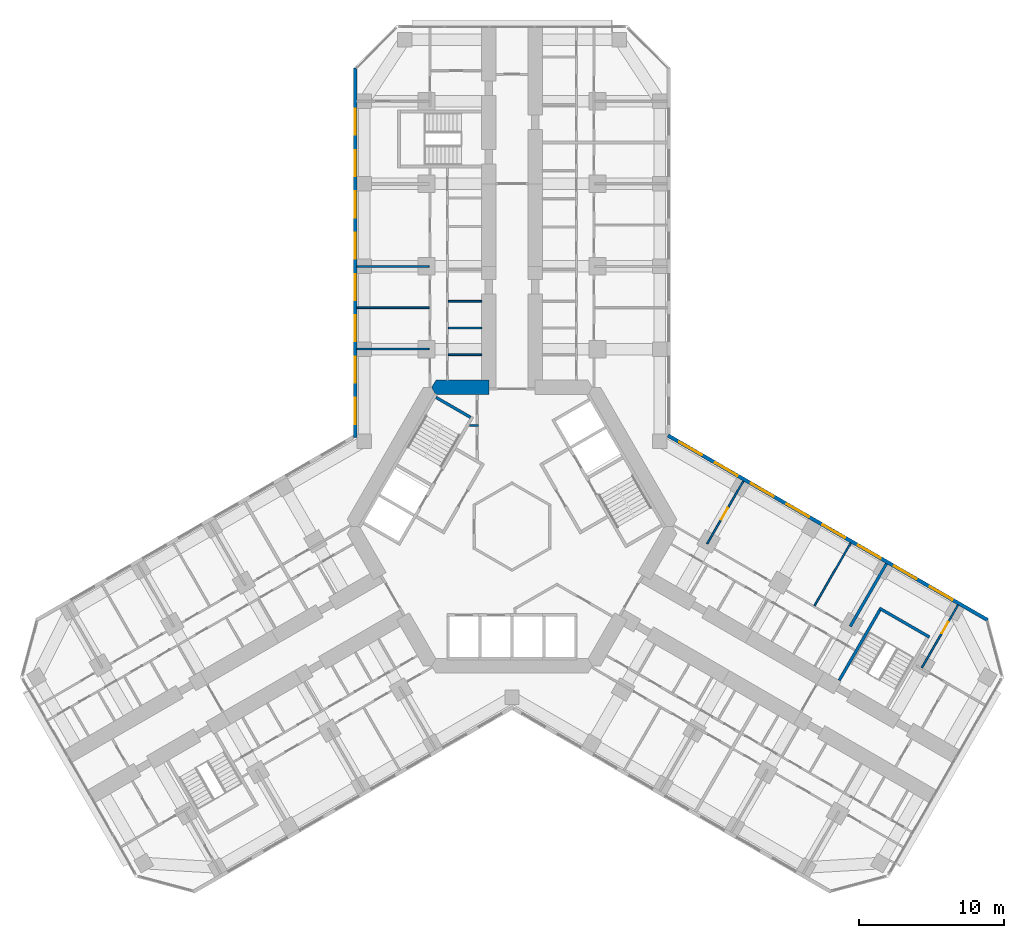
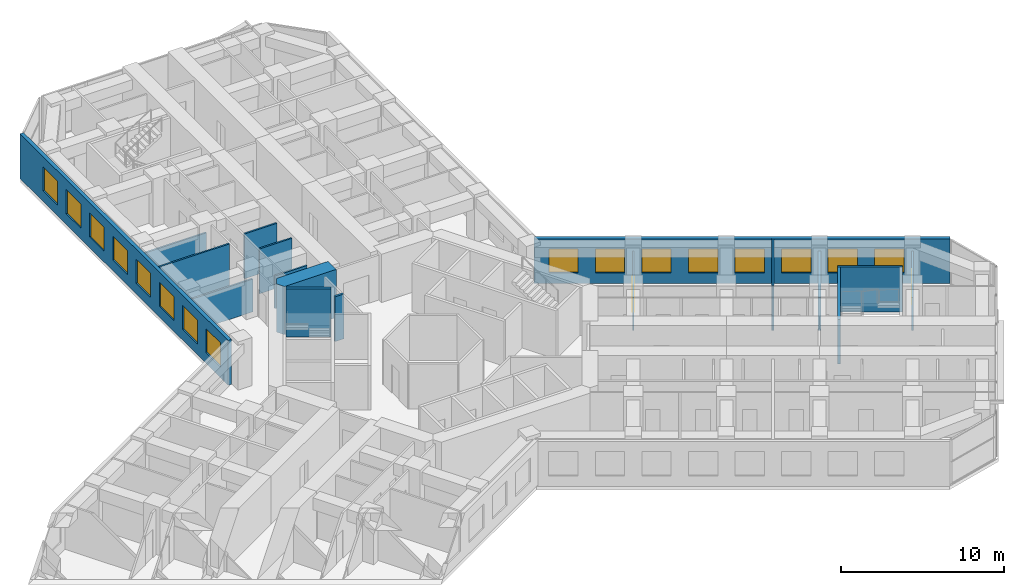
# One storey, part 16 of 21: 17 walls, 16 windows, 2 doors, 18 openings.
"""IFC4 building model written with IfcOpenShell, lengths in metres."""

import ifcopenshell
import ifcopenshell.guid

model = None  # the IFC model being written
_history = None  # IfcOwnerHistory: only IFC2X3 demands one
_inside = {}  # id of a spatial element -> (the spatial element, [elements in it])
_under = {}  # id of a project, library or spatial element -> (it, [spatial elements below it])
_declared = {}  # id of a project -> (the project, [libraries it declares])
_typed = {}  # id of a type object -> (the type object, [elements of that type])
_made_of = {}  # id of a material, layer set ... -> (it, [elements and type objects made of it])


def new_model(schema):
    """Start an empty IFC model of exactly this schema.

    Asked for "IFC4X3", IfcOpenShell would pick the latest addendum, in which some entities
    have other attributes; the version numbers below select the first issue.
    IFC2X3 requires an IfcOwnerHistory on every rooted entity: one is made here for all.
    """
    global model, _history
    if schema == "IFC4X3":
        model = ifcopenshell.file(schema_version=(4, 3, 0, 0))
    else:
        model = ifcopenshell.file(schema=schema)
    _inside.clear()
    _under.clear()
    _declared.clear()
    _typed.clear()
    _made_of.clear()
    _history = None
    if model.schema == "IFC2X3":
        org = make("IfcOrganization", Name="unknown")
        user = make(
            "IfcPersonAndOrganization",
            ThePerson=make("IfcPerson", FamilyName="unknown"),
            TheOrganization=org,
        )
        app = make(
            "IfcApplication",
            ApplicationDeveloper=org,
            Version="unknown",
            ApplicationFullName="unknown",
            ApplicationIdentifier="unknown",
        )
        _history = make(
            "IfcOwnerHistory",
            OwningUser=user,
            OwningApplication=app,
            ChangeAction="ADDED",
            CreationDate=0,
        )
    return model


def make(cls, **values):
    """One entity of the class cls with the attributes given. An attribute that is None is left unset."""
    return model.create_entity(
        cls, **{name: value for name, value in values.items() if value is not None}
    )


def rooted(cls, **values):
    """An entity with a GlobalId (a new one), such as an element, a storey or a relation."""
    return make(cls, GlobalId=ifcopenshell.guid.new(), OwnerHistory=_history, **values)


def si_unit(unit_type, name, prefix=None):
    """IfcSIUnit, for example si_unit("LENGTHUNIT", "METRE", prefix="MILLI")."""
    return make("IfcSIUnit", UnitType=unit_type, Prefix=prefix, Name=name)


def assignment(units):
    """IfcUnitAssignment: the units of a project."""
    return None if units is None else make("IfcUnitAssignment", Units=units)


def point(xyz):
    """IfcCartesianPoint."""
    return None if xyz is None else make("IfcCartesianPoint", Coordinates=xyz)


def direction(xyz):
    """IfcDirection."""
    return None if xyz is None else make("IfcDirection", DirectionRatios=xyz)


def frame(location, z_axis=None, x_axis=None):
    """IfcAxis2Placement3D, a coordinate frame: its origin and axes. An axis left out is left unset."""
    return make(
        "IfcAxis2Placement3D",
        Location=point(location),
        Axis=direction(z_axis),
        RefDirection=direction(x_axis),
    )


def frame_2d(location, x_axis=None):
    """IfcAxis2Placement2D, a coordinate frame in the plane: its origin and x axis."""
    return make(
        "IfcAxis2Placement2D", Location=point(location), RefDirection=direction(x_axis)
    )


def origin():
    """The frame at (0, 0, 0) with its axes left unset."""
    return frame((0.0, 0.0, 0.0))


def place(relative_to, where):
    """IfcLocalPlacement: puts the frame where relative to a parent placement (None: the world)."""
    return make(
        "IfcLocalPlacement", PlacementRelTo=relative_to, RelativePlacement=where
    )


def context(
    kind, dimensions, precision=None, world=None, true_north=None, identifier=None
):
    """IfcGeometricRepresentationContext, for example the 3D "Model" context."""
    return make(
        "IfcGeometricRepresentationContext",
        ContextIdentifier=identifier,
        ContextType=kind,
        CoordinateSpaceDimension=dimensions,
        Precision=precision,
        WorldCoordinateSystem=world,
        TrueNorth=true_north,
    )


def subcontext(parent, identifier, kind, view, scale=None):
    """IfcGeometricRepresentationSubContext, for example "Body" below "Model"."""
    return make(
        "IfcGeometricRepresentationSubContext",
        ContextIdentifier=identifier,
        ContextType=kind,
        ParentContext=parent,
        TargetScale=scale,
        TargetView=view,
    )


def project(units=None, contexts=None):
    """IfcProject with its units and contexts."""
    return rooted(
        "IfcProject",
        Name="project",
        RepresentationContexts=contexts,
        UnitsInContext=assignment(units),
    )


def spatial(cls, under=None, at=None, **own):
    """A site, building, storey or space (cls), placed at a placement, below another one or the project."""
    s = rooted(cls, ObjectPlacement=at, **own)
    if under is not None:
        _under.setdefault(under.id(), (under, []))[1].append(s)
    return s


def polyline(points):
    """IfcPolyline through the points."""
    return make("IfcPolyline", Points=[point(p) for p in points])


def profile(cls, at=None, kind="AREA", **sizes):
    """A parametric profile (cls). Its sizes go by their IFC names, for example OverallWidth=200.0."""
    return make(cls, ProfileType=kind, Position=at, **sizes)


def rectangle(**sizes):
    """IfcRectangleProfileDef."""
    return profile("IfcRectangleProfileDef", **sizes)


def outline(outer, holes=None, kind="AREA"):
    """IfcArbitraryClosedProfileDef: a profile drawn as a closed curve; with holes, ...WithVoids."""
    if holes is None:
        return make("IfcArbitraryClosedProfileDef", ProfileType=kind, OuterCurve=outer)
    return make(
        "IfcArbitraryProfileDefWithVoids",
        ProfileType=kind,
        OuterCurve=outer,
        InnerCurves=holes,
    )


def extrude(swept, where, along, depth):
    """IfcExtrudedAreaSolid: the profile swept, set in the frame where, extruded along a direction by depth."""
    return make(
        "IfcExtrudedAreaSolid",
        SweptArea=swept,
        Position=where,
        ExtrudedDirection=direction(along),
        Depth=depth,
    )


def shape(context_of_items, identifier, shape_type, items):
    """IfcShapeRepresentation: the items that make up one representation, for example the "Body"."""
    return make(
        "IfcShapeRepresentation",
        ContextOfItems=context_of_items,
        RepresentationIdentifier=identifier,
        RepresentationType=shape_type,
        Items=items,
    )


def material(Name=None, Category=None):
    """IfcMaterial."""
    return make("IfcMaterial", Name=Name, Category=Category)


def layer(
    of_material, thickness, ventilated=None, Name=None, Category=None, Priority=None
):
    """IfcMaterialLayer: one layer of a wall or slab, of a material (None: an air gap)."""
    return make(
        "IfcMaterialLayer",
        Material=of_material,
        LayerThickness=thickness,
        IsVentilated=ventilated,
        Name=Name,
        Category=Category,
        Priority=Priority,
    )


def layer_set(layers, Name=None):
    """IfcMaterialLayerSet."""
    return make("IfcMaterialLayerSet", MaterialLayers=layers, LayerSetName=Name)


def made_of(thing, what):
    """Note that an element or type object is made of a material, layer set ...; save() writes the relation."""
    if what is not None:
        _made_of.setdefault(what.id(), (what, []))[1].append(thing)
    return thing


def type_object(cls, material=None, **own):
    """A type object (cls), such as IfcWallType, which elements share."""
    return made_of(rooted(cls, **own), material)


def element(
    cls,
    number,
    at=None,
    inside=None,
    cuts=None,
    type_object=None,
    material=None,
    context=None,
    identifier="Body",
    shape_type=None,
    held_by="IfcProductDefinitionShape",
    body=None,
    shapes=None,
    **own,
):
    """One element of the class cls, such as IfcWall. Its Tag is "e" and its number.

    at: its placement. inside: the storey or other place that contains it. cuts: it is an
    opening in that element (IfcRelVoidsElement). A single representation is given by context,
    identifier, shape_type and body (its items); several are given by shapes. held_by: the class
    of the entity that holds the representations. save() writes the other relations.
    """
    e = rooted(cls, Tag="e%d" % number, ObjectPlacement=at, **own)
    if body is not None:
        shapes = [shape(context, identifier, shape_type, body)]
    if shapes is not None:
        e.Representation = make(held_by, Representations=shapes)
    if inside is not None:
        _inside.setdefault(inside.id(), (inside, []))[1].append(e)
    if cuts is not None:
        rooted(
            "IfcRelVoidsElement", RelatingBuildingElement=cuts, RelatedOpeningElement=e
        )
    if type_object is not None:
        _typed.setdefault(type_object.id(), (type_object, []))[1].append(e)
    return made_of(e, material)


def fill(opening, filler):
    """IfcRelFillsElement: the door or window that sits in an opening."""
    return rooted(
        "IfcRelFillsElement",
        RelatingOpeningElement=opening,
        RelatedBuildingElement=filler,
    )


def aggregate(whole, parts):
    """IfcRelAggregates: a whole, such as a stair, and the parts it consists of."""
    return rooted("IfcRelAggregates", RelatingObject=whole, RelatedObjects=parts)


def save(model, path):
    """Write the relations noted so far, then the file.

    IfcRelAggregates (storeys below a building ...), IfcRelContainedInSpatialStructure (elements
    in a storey), IfcRelDefinesByType, IfcRelAssociatesMaterial and IfcRelDeclares: one each for
    every whole, place, type object, material and project.
    """
    for whole, parts in _under.values():
        aggregate(whole, parts)
    for where, things in _inside.values():
        rooted(
            "IfcRelContainedInSpatialStructure",
            RelatedElements=things,
            RelatingStructure=where,
        )
    for kind, things in _typed.values():
        rooted("IfcRelDefinesByType", RelatedObjects=things, RelatingType=kind)
    for what, things in _made_of.values():
        rooted("IfcRelAssociatesMaterial", RelatedObjects=things, RelatingMaterial=what)
    for by, libraries in _declared.values():
        rooted("IfcRelDeclares", RelatingContext=by, RelatedDefinitions=libraries)
    model.write(path)


model = new_model("IFC4")

# Units and contexts
model_context = context("Model", 3, precision=1e-05, world=origin(), true_north=direction((0.0, 1.0)))
body_context = subcontext(model_context, "Body", "Model", "MODEL_VIEW")
ifc_project = project(units=[si_unit("LENGTHUNIT", "METRE"), si_unit("AREAUNIT", "SQUARE_METRE"), si_unit("VOLUMEUNIT", "CUBIC_METRE"), si_unit("PLANEANGLEUNIT", "RADIAN"), si_unit("MASSUNIT", "GRAM", prefix="KILO")], contexts=[model_context])

# Site, building, storey
site_placement = place(None, origin())
site = spatial("IfcSite", under=ifc_project, at=site_placement, CompositionType="ELEMENT")
building_placement = place(site_placement, origin())
building = spatial("IfcBuilding", under=site, at=building_placement, Name="Kosmar Iwan School Tower", CompositionType="ELEMENT")
storey_placement = place(building_placement, frame((0.0, 0.0, 50.199951171875)))
storey = spatial("IfcBuildingStorey", under=building, at=storey_placement, Name="L11", CompositionType="ELEMENT", Elevation=50.199951171875)

# Walls
ifc_material_1 = material(Name="Gypsum board on steel studs, fire-rated", Category="steel")
ifc_layer_1 = layer(ifc_material_1, 0.14990234375)
ifc_layer_set_1 = layer_set([ifc_layer_1], Name="Core room partition 150")
wall_type_1 = type_object("IfcWallType", Name="Core room partition 150", PredefinedType="PARTITIONING", material=ifc_layer_set_1)
wall_1_placement = place(storey_placement, frame((-2.324951171875, 6.985107421875, 0.0), z_axis=(0.0, 0.0, 1.0), x_axis=(-1.0, 0.0, 0.0)))
element("IfcWall", 1, at=wall_1_placement, inside=storey, type_object=wall_type_1, Name="Core room partition L11-CW2", PredefinedType="PARTITIONING", context=body_context, shape_type="SweptSolid", body=[
    extrude(rectangle(XDim=0.623779296875, YDim=0.14990234375, at=frame_2d((0.31201171875, 0.0))), origin(), (0.0, 0.0, 1.0), 3.35009765625),
])
ifc_material_2 = material(Name="Concrete C50/60", Category="concrete")
ifc_layer_2 = layer(ifc_material_2, 1.0)
ifc_layer_set_2 = layer_set([ifc_layer_2], Name="Core wall 1000")
wall_type_2 = type_object("IfcWallType", Name="Core wall 1000", PredefinedType="SHEAR", material=ifc_layer_set_2)
wall_2_placement = place(storey_placement, origin())
element("IfcWall", 2, at=wall_2_placement, inside=storey, type_object=wall_type_2, Name="Core wall F090b", PredefinedType="SHEAR", context=body_context, shape_type="SweptSolid", body=[
    extrude(outline(polyline([(-5.25390625, 9.10009765625), (-1.60009765625, 9.10009765625), (-1.60009765625, 10.10009765625), (-5.25390625, 10.10009765625), (-5.54248046875, 9.60009765625), (-5.25390625, 9.10009765625)])), origin(), (0.0, 0.0, 1.0), 3.60009765625),
])
ifc_material_3 = material(Name="Gypsum board on steel studs", Category="steel")
ifc_layer_3 = layer(ifc_material_3, 0.1201171875)
ifc_layer_set_3 = layer_set([ifc_layer_3], Name="Dwelling partition 120")
wall_type_3 = type_object("IfcWallType", Name="Dwelling partition 120", PredefinedType="PARTITIONING", material=ifc_layer_set_3)
wall_3_placement = place(storey_placement, frame((-5.7099609375, 12.25, 0.0), z_axis=(0.0, 0.0, 1.0), x_axis=(-1.0, 0.0, 0.0)))
element("IfcWall", 3, at=wall_3_placement, inside=storey, type_object=wall_type_3, Name="Partition L11-AL1-X1", PredefinedType="PARTITIONING", context=body_context, shape_type="SweptSolid", body=[
    extrude(rectangle(XDim=4.989990234375, YDim=0.1201171875, at=frame_2d((2.4951171875, 0.0))), origin(), (0.0, 0.0, 1.0), 2.449951171875),
])
wall_4_placement = place(storey_placement, frame((-5.7099609375, 15.10009765625, 0.0), z_axis=(0.0, 0.0, 1.0), x_axis=(-1.0, 0.0, 0.0)))
element("IfcWall", 4, at=wall_4_placement, inside=storey, type_object=wall_type_3, Name="Partition L11-AL1-X2", PredefinedType="PARTITIONING", context=body_context, shape_type="SweptSolid", body=[
    extrude(rectangle(XDim=4.989990234375, YDim=0.1201171875, at=frame_2d((2.4951171875, 0.0))), origin(), (0.0, 0.0, 1.0), 3.35009765625),
])
wall_5_placement = place(storey_placement, frame((-5.7099609375, 17.949951171875, 0.0), z_axis=(0.0, 0.0, 1.0), x_axis=(-1.0, 0.0, 0.0)))
element("IfcWall", 5, at=wall_5_placement, inside=storey, type_object=wall_type_3, Name="Partition L11-AL1-X3", PredefinedType="PARTITIONING", context=body_context, shape_type="SweptSolid", body=[
    extrude(rectangle(XDim=4.989990234375, YDim=0.1201171875, at=frame_2d((2.4951171875, 0.0))), origin(), (0.0, 0.0, 1.0), 2.449951171875),
])
wall_6_placement = place(storey_placement, frame((-2.10009765625, 11.85009765625, 0.0), z_axis=(0.0, 0.0, 1.0), x_axis=(-1.0, 0.0, 0.0)))
element("IfcWall", 6, at=wall_6_placement, inside=storey, type_object=wall_type_3, Name="Partition L11-AL1-Y1", PredefinedType="PARTITIONING", context=body_context, shape_type="SweptSolid", body=[
    extrude(rectangle(XDim=2.289794921875, YDim=0.1201171875, at=frame_2d((1.14501953125, 0.0))), origin(), (0.0, 0.0, 1.0), 2.449951171875),
])
for number, where, z_axis, x_axis, name in (
    (7, (-2.10009765625, 13.699951171875, 0.0), (0.0, 0.0, 1.0), (-1.0, 0.0, 0.0), "Partition L11-AL1-Y2"),
    (8, (-2.10009765625, 15.550048828125, 0.0), (0.0, 0.0, 1.0), (-1.0, 0.0, 0.0), "Partition L11-AL1-Y3"),
):
    element("IfcWall", number, at=place(storey_placement, frame(where, z_axis=z_axis, x_axis=x_axis)), inside=storey, type_object=wall_type_3, Name=name, PredefinedType="PARTITIONING", context=body_context, shape_type="SweptSolid", body=[
        extrude(rectangle(XDim=2.289794921875, YDim=0.1201171875, at=frame_2d((1.14501953125, 0.0))), origin(), (0.0, 0.0, 1.0), 3.35009765625),
    ])

# Wall, opening, door
wall_7_placement = place(storey_placement, frame((13.4638671875, -1.179931640625, 0.0), z_axis=(0.0, 0.0, 1.0), x_axis=(0.499996339024, 0.86602751744, 0.0)))
wall_7 = element("IfcWall", 9, at=wall_7_placement, inside=storey, type_object=wall_type_3, Name="Partition L11-CL1-X1", PredefinedType="PARTITIONING", context=body_context, shape_type="SweptSolid", body=[
    extrude(rectangle(XDim=4.98974609375, YDim=0.1201171875, at=frame_2d((2.494873046875, 0.0))), origin(), (0.0, 0.0, 1.0), 2.449951171875),
])
opening_1_placement = place(wall_7_placement, frame((1.93994140625, 0.0, 0.0)))
opening_1 = element("IfcOpeningElement", 10, at=opening_1_placement, cuts=wall_7, Name="Opening D2", PredefinedType="OPENING", context=body_context, shape_type="SweptSolid", body=[
    extrude(rectangle(XDim=0.89990234375, YDim=2.10009765625, at=frame_2d((0.449951171875, 1.050048828125))), frame((0.0, 0.072021484375, 0.0), z_axis=(0.0, -1.0, 0.0), x_axis=(1.0, 0.0, 0.0)), (0.0, 0.0, 1.0), 0.14404296875),
])
ifc_material_4 = material(Name="Timber door in timber frame", Category="wood")
door_type = type_object("IfcDoorType", Name="Internal door 900x2100", OperationType="SINGLE_SWING_LEFT", PredefinedType="DOOR", material=ifc_material_4)
door_1_placement = place(opening_1_placement, origin())
door_1 = element("IfcDoor", 11, at=door_1_placement, inside=storey, type_object=door_type, Name="Kitchen and dining room door L11-CL1-F1", OperationType="SINGLE_SWING_LEFT", OverallHeight=2.10009765625, OverallWidth=0.89990234375, PredefinedType="DOOR", context=body_context, shape_type="SweptSolid", body=[
    extrude(rectangle(XDim=0.89990234375, YDim=2.10009765625, at=frame_2d((0.449951171875, 1.050048828125))), frame((0.0, 0.02490234375, 0.0), z_axis=(0.0, -1.0, 0.0), x_axis=(1.0, 0.0, 0.0)), (0.0, 0.0, 1.0), 0.050048828125),
])
fill(opening_1, door_1)

# Wall
wall_8_placement = place(storey_placement, frame((20.868408203125, -5.455078125, 0.0), z_axis=(0.0, 0.0, 1.0), x_axis=(0.499975153383, 0.86603974851, 0.0)))
element("IfcWall", 12, at=wall_8_placement, inside=storey, type_object=wall_type_3, Name="Partition L11-CL1-X2", PredefinedType="PARTITIONING", context=body_context, shape_type="SweptSolid", body=[
    extrude(rectangle(XDim=4.989990234375, YDim=0.1201171875, at=frame_2d((2.4951171875, 0.0))), origin(), (0.0, 0.0, 1.0), 3.35009765625),
])

# Wall, opening, door
wall_9_placement = place(storey_placement, frame((28.27294921875, -9.72998046875, 0.0), z_axis=(0.0, 0.0, 1.0), x_axis=(0.499975153383, 0.86603974851, 0.0)))
wall_9 = element("IfcWall", 13, at=wall_9_placement, inside=storey, type_object=wall_type_3, Name="Partition L11-CL2-TX", PredefinedType="PARTITIONING", context=body_context, shape_type="SweptSolid", body=[
    extrude(rectangle(XDim=4.989990234375, YDim=0.1201171875, at=frame_2d((2.4951171875, 0.0))), origin(), (0.0, 0.0, 1.0), 2.449951171875),
])
opening_2_placement = place(wall_9_placement, frame((2.739990234375, 0.0, 0.0)))
opening_2 = element("IfcOpeningElement", 14, at=opening_2_placement, cuts=wall_9, Name="Opening D2", PredefinedType="OPENING", context=body_context, shape_type="SweptSolid", body=[
    extrude(rectangle(XDim=0.89990234375, YDim=2.10009765625, at=frame_2d((0.449951171875, 1.050048828125))), frame((0.0, 0.072021484375, 0.0), z_axis=(0.0, -1.0, 0.0), x_axis=(1.0, 0.0, 0.0)), (0.0, 0.0, 1.0), 0.14404296875),
])
door_2_placement = place(opening_2_placement, origin())
door_2 = element("IfcDoor", 15, at=door_2_placement, inside=storey, type_object=door_type, Name="Bedroom 1 door L11-CL2-T1", OperationType="SINGLE_SWING_RIGHT", OverallHeight=2.10009765625, OverallWidth=0.89990234375, PredefinedType="DOOR", context=body_context, shape_type="SweptSolid", body=[
    extrude(rectangle(XDim=0.89990234375, YDim=2.10009765625, at=frame_2d((0.449951171875, 1.050048828125))), frame((0.0, 0.02490234375, 0.0), z_axis=(0.0, -1.0, 0.0), x_axis=(1.0, 0.0, 0.0)), (0.0, 0.0, 1.0), 0.050048828125),
])
fill(opening_2, door_2)

# Walls
ifc_material_5 = material(Name="Concrete C35/45", Category="concrete")
ifc_layer_4 = layer(ifc_material_5, 0.199951171875)
ifc_layer_set_4 = layer_set([ifc_layer_4], Name="Escape stair wall 200")
wall_type_4 = type_object("IfcWallType", Name="Escape stair wall 200", PredefinedType="SHEAR", material=ifc_layer_set_4)
wall_10_placement = place(storey_placement, frame((22.57080078125, -10.6064453125, 0.0), z_axis=(0.0, 0.0, 1.0), x_axis=(0.499987231761, 0.866032775405, 0.0)))
element("IfcWall", 16, at=wall_10_placement, inside=storey, type_object=wall_type_4, Name="Stair WS3 wall", PredefinedType="SHEAR", context=body_context, shape_type="SweptSolid", body=[
    extrude(rectangle(XDim=5.800048828125, YDim=0.199951171875, at=frame_2d((2.89990234375, 0.0))), origin(), (0.0, 0.0, 1.0), 3.330078125),
])
wall_11_placement = place(storey_placement, frame((25.334228515625, -5.6201171875, 0.0), z_axis=(0.0, 0.0, 1.0), x_axis=(0.866026010844, -0.49999894854, 0.0)))
element("IfcWall", 17, at=wall_11_placement, inside=storey, type_object=wall_type_4, Name="Stair WS3 wall", PredefinedType="SHEAR", context=body_context, shape_type="SweptSolid", body=[
    extrude(rectangle(XDim=4.0, YDim=0.199951171875, at=frame_2d((2.0, 0.0))), origin(), (0.0, 0.0, 1.0), 3.330078125),
])

# Wall, openings, windows
ifc_material_6 = material(Name="Black aluminium rainscreen on insulated framing", Category="aluminium")
ifc_layer_5 = layer(ifc_material_6, 0.25)
ifc_layer_set_5 = layer_set([ifc_layer_5], Name="External wall rainscreen 250")
wall_type_5 = type_object("IfcWallType", Name="External wall rainscreen 250", PredefinedType="SOLIDWALL", material=ifc_layer_set_5)
wall_12_placement = place(storey_placement, frame((10.762451171875, 6.285888671875, 0.0), z_axis=(0.0, 0.0, 1.0), x_axis=(0.866027962024, -0.499995568972, 0.0)))
wall_12 = element("IfcWall", 18, at=wall_12_placement, inside=storey, type_object=wall_type_5, Name="External wall CL L11", PredefinedType="SOLIDWALL", context=body_context, shape_type="SweptSolid", body=[
    extrude(rectangle(XDim=25.457763671875, YDim=0.25, at=frame_2d((12.72900390625, 0.0))), origin(), (0.0, 0.0, 1.0), 3.35009765625),
])
opening_3_placement = place(wall_12_placement, frame((0.8974609375, 0.0, 0.800048828125)))
opening_3 = element("IfcOpeningElement", 19, at=opening_3_placement, cuts=wall_12, Name="Opening W1", PredefinedType="OPENING", context=body_context, shape_type="SweptSolid", body=[
    extrude(rectangle(XDim=1.800048828125, YDim=1.800048828125, at=frame_2d((0.89990234375, 0.89990234375))), frame((0.0, 0.136962890625, 0.0), z_axis=(0.0, -1.0, 0.0), x_axis=(1.0, 0.0, 0.0)), (0.0, 0.0, 1.0), 0.27392578125),
])
opening_4_placement = place(wall_12_placement, frame((3.747314453125, 0.0, 0.800048828125)))
opening_4 = element("IfcOpeningElement", 20, at=opening_4_placement, cuts=wall_12, Name="Opening W1", PredefinedType="OPENING", context=body_context, shape_type="SweptSolid", body=[
    extrude(rectangle(XDim=1.800048828125, YDim=1.800048828125, at=frame_2d((0.89990234375, 0.89990234375))), frame((0.0, 0.136962890625, 0.0), z_axis=(0.0, -1.0, 0.0), x_axis=(1.0, 0.0, 0.0)), (0.0, 0.0, 1.0), 0.27392578125),
])
opening_5_placement = place(wall_12_placement, frame((6.597412109375, 0.0, 0.800048828125)))
opening_5 = element("IfcOpeningElement", 21, at=opening_5_placement, cuts=wall_12, Name="Opening W1", PredefinedType="OPENING", context=body_context, shape_type="SweptSolid", body=[
    extrude(rectangle(XDim=1.800048828125, YDim=1.800048828125, at=frame_2d((0.89990234375, 0.89990234375))), frame((0.0, 0.136962890625, 0.0), z_axis=(0.0, -1.0, 0.0), x_axis=(1.0, 0.0, 0.0)), (0.0, 0.0, 1.0), 0.27392578125),
])
opening_6_placement = place(wall_12_placement, frame((9.447265625, 0.0, 0.800048828125)))
opening_6 = element("IfcOpeningElement", 22, at=opening_6_placement, cuts=wall_12, Name="Opening W1", PredefinedType="OPENING", context=body_context, shape_type="SweptSolid", body=[
    extrude(rectangle(XDim=1.800048828125, YDim=1.800048828125, at=frame_2d((0.89990234375, 0.89990234375))), frame((0.0, 0.136962890625, 0.0), z_axis=(0.0, -1.0, 0.0), x_axis=(1.0, 0.0, 0.0)), (0.0, 0.0, 1.0), 0.27392578125),
])
opening_7_placement = place(wall_12_placement, frame((12.29736328125, 0.0, 0.800048828125)))
opening_7 = element("IfcOpeningElement", 23, at=opening_7_placement, cuts=wall_12, Name="Opening W1", PredefinedType="OPENING", context=body_context, shape_type="SweptSolid", body=[
    extrude(rectangle(XDim=1.800048828125, YDim=1.800048828125, at=frame_2d((0.89990234375, 0.89990234375))), frame((0.0, 0.136962890625, 0.0), z_axis=(0.0, -1.0, 0.0), x_axis=(1.0, 0.0, 0.0)), (0.0, 0.0, 1.0), 0.27392578125),
])
opening_8_placement = place(wall_12_placement, frame((15.1474609375, 0.0, 0.800048828125)))
opening_8 = element("IfcOpeningElement", 24, at=opening_8_placement, cuts=wall_12, Name="Opening W1", PredefinedType="OPENING", context=body_context, shape_type="SweptSolid", body=[
    extrude(rectangle(XDim=1.800048828125, YDim=1.800048828125, at=frame_2d((0.89990234375, 0.89990234375))), frame((0.0, 0.136962890625, 0.0), z_axis=(0.0, -1.0, 0.0), x_axis=(1.0, 0.0, 0.0)), (0.0, 0.0, 1.0), 0.27392578125),
])
opening_9_placement = place(wall_12_placement, frame((17.997314453125, 0.0, 0.800048828125)))
opening_9 = element("IfcOpeningElement", 25, at=opening_9_placement, cuts=wall_12, Name="Opening W1", PredefinedType="OPENING", context=body_context, shape_type="SweptSolid", body=[
    extrude(rectangle(XDim=1.800048828125, YDim=1.800048828125, at=frame_2d((0.89990234375, 0.89990234375))), frame((0.0, 0.136962890625, 0.0), z_axis=(0.0, -1.0, 0.0), x_axis=(1.0, 0.0, 0.0)), (0.0, 0.0, 1.0), 0.27392578125),
])
opening_10_placement = place(wall_12_placement, frame((20.847412109375, 0.0, 0.800048828125)))
opening_10 = element("IfcOpeningElement", 26, at=opening_10_placement, cuts=wall_12, Name="Opening W1", PredefinedType="OPENING", context=body_context, shape_type="SweptSolid", body=[
    extrude(rectangle(XDim=1.800048828125, YDim=1.800048828125, at=frame_2d((0.89990234375, 0.89990234375))), frame((0.0, 0.136962890625, 0.0), z_axis=(0.0, -1.0, 0.0), x_axis=(1.0, 0.0, 0.0)), (0.0, 0.0, 1.0), 0.27392578125),
])
ifc_material_7 = material(Name="Black aluminium frame with dark triple glazing", Category="aluminium")
window_type = type_object("IfcWindowType", Name="Window 1800x1800", PartitioningType="SINGLE_PANEL", PredefinedType="WINDOW", material=ifc_material_7)
window_1_placement = place(opening_3_placement, origin())
window_1 = element("IfcWindow", 27, at=window_1_placement, inside=storey, type_object=window_type, Name="Window CL L11 -1", OverallHeight=1.800048828125, OverallWidth=1.800048828125, PartitioningType="SINGLE_PANEL", PredefinedType="WINDOW", context=body_context, shape_type="SweptSolid", body=[
    extrude(rectangle(XDim=1.800048828125, YDim=1.800048828125, at=frame_2d((0.89990234375, 0.89990234375))), frame((0.0, 0.030029296875, 0.0), z_axis=(0.0, -1.0, 0.0), x_axis=(1.0, 0.0, 0.0)), (0.0, 0.0, 1.0), 0.06005859375),
])
fill(opening_3, window_1)
window_2_placement = place(opening_4_placement, origin())
window_2 = element("IfcWindow", 28, at=window_2_placement, inside=storey, type_object=window_type, Name="Window CL L11 0", OverallHeight=1.800048828125, OverallWidth=1.800048828125, PartitioningType="SINGLE_PANEL", PredefinedType="WINDOW", context=body_context, shape_type="SweptSolid", body=[
    extrude(rectangle(XDim=1.800048828125, YDim=1.800048828125, at=frame_2d((0.89990234375, 0.89990234375))), frame((0.0, 0.030029296875, 0.0), z_axis=(0.0, -1.0, 0.0), x_axis=(1.0, 0.0, 0.0)), (0.0, 0.0, 1.0), 0.06005859375),
])
fill(opening_4, window_2)
window_3_placement = place(opening_5_placement, origin())
window_3 = element("IfcWindow", 29, at=window_3_placement, inside=storey, type_object=window_type, Name="Window CL L11 1", OverallHeight=1.800048828125, OverallWidth=1.800048828125, PartitioningType="SINGLE_PANEL", PredefinedType="WINDOW", context=body_context, shape_type="SweptSolid", body=[
    extrude(rectangle(XDim=1.800048828125, YDim=1.800048828125, at=frame_2d((0.89990234375, 0.89990234375))), frame((0.0, 0.030029296875, 0.0), z_axis=(0.0, -1.0, 0.0), x_axis=(1.0, 0.0, 0.0)), (0.0, 0.0, 1.0), 0.06005859375),
])
fill(opening_5, window_3)
window_4_placement = place(opening_6_placement, origin())
window_4 = element("IfcWindow", 30, at=window_4_placement, inside=storey, type_object=window_type, Name="Window CL L11 2", OverallHeight=1.800048828125, OverallWidth=1.800048828125, PartitioningType="SINGLE_PANEL", PredefinedType="WINDOW", context=body_context, shape_type="SweptSolid", body=[
    extrude(rectangle(XDim=1.800048828125, YDim=1.800048828125, at=frame_2d((0.89990234375, 0.89990234375))), frame((0.0, 0.030029296875, 0.0), z_axis=(0.0, -1.0, 0.0), x_axis=(1.0, 0.0, 0.0)), (0.0, 0.0, 1.0), 0.06005859375),
])
fill(opening_6, window_4)
window_5_placement = place(opening_7_placement, origin())
window_5 = element("IfcWindow", 31, at=window_5_placement, inside=storey, type_object=window_type, Name="Window CL L11 3", OverallHeight=1.800048828125, OverallWidth=1.800048828125, PartitioningType="SINGLE_PANEL", PredefinedType="WINDOW", context=body_context, shape_type="SweptSolid", body=[
    extrude(rectangle(XDim=1.800048828125, YDim=1.800048828125, at=frame_2d((0.89990234375, 0.89990234375))), frame((0.0, 0.030029296875, 0.0), z_axis=(0.0, -1.0, 0.0), x_axis=(1.0, 0.0, 0.0)), (0.0, 0.0, 1.0), 0.06005859375),
])
fill(opening_7, window_5)
window_6_placement = place(opening_8_placement, origin())
window_6 = element("IfcWindow", 32, at=window_6_placement, inside=storey, type_object=window_type, Name="Window CL L11 4", OverallHeight=1.800048828125, OverallWidth=1.800048828125, PartitioningType="SINGLE_PANEL", PredefinedType="WINDOW", context=body_context, shape_type="SweptSolid", body=[
    extrude(rectangle(XDim=1.800048828125, YDim=1.800048828125, at=frame_2d((0.89990234375, 0.89990234375))), frame((0.0, 0.030029296875, 0.0), z_axis=(0.0, -1.0, 0.0), x_axis=(1.0, 0.0, 0.0)), (0.0, 0.0, 1.0), 0.06005859375),
])
fill(opening_8, window_6)
window_7_placement = place(opening_9_placement, origin())
window_7 = element("IfcWindow", 33, at=window_7_placement, inside=storey, type_object=window_type, Name="Window CL L11 5", OverallHeight=1.800048828125, OverallWidth=1.800048828125, PartitioningType="SINGLE_PANEL", PredefinedType="WINDOW", context=body_context, shape_type="SweptSolid", body=[
    extrude(rectangle(XDim=1.800048828125, YDim=1.800048828125, at=frame_2d((0.89990234375, 0.89990234375))), frame((0.0, 0.030029296875, 0.0), z_axis=(0.0, -1.0, 0.0), x_axis=(1.0, 0.0, 0.0)), (0.0, 0.0, 1.0), 0.06005859375),
])
fill(opening_9, window_7)
window_8_placement = place(opening_10_placement, origin())
window_8 = element("IfcWindow", 34, at=window_8_placement, inside=storey, type_object=window_type, Name="Window CL L11 6", OverallHeight=1.800048828125, OverallWidth=1.800048828125, PartitioningType="SINGLE_PANEL", PredefinedType="WINDOW", context=body_context, shape_type="SweptSolid", body=[
    extrude(rectangle(XDim=1.800048828125, YDim=1.800048828125, at=frame_2d((0.89990234375, 0.89990234375))), frame((0.0, 0.030029296875, 0.0), z_axis=(0.0, -1.0, 0.0), x_axis=(1.0, 0.0, 0.0)), (0.0, 0.0, 1.0), 0.06005859375),
])
fill(opening_10, window_8)

wall_13_placement = place(storey_placement, frame((-10.824951171875, 6.14794921875, 0.0), z_axis=(0.0, 0.0, 1.0), x_axis=(0.0, 1.0, 0.0)))
wall_13 = element("IfcWall", 35, at=wall_13_placement, inside=storey, type_object=wall_type_5, Name="External wall AL L11", PredefinedType="SOLIDWALL", context=body_context, shape_type="SweptSolid", body=[
    extrude(rectangle(XDim=25.4873046875, YDim=0.25, at=frame_2d((12.74365234375, 0.0))), origin(), (0.0, 0.0, 1.0), 3.35009765625),
])
opening_11_placement = place(wall_13_placement, frame((0.927001953125, 0.0, 0.800048828125)))
opening_11 = element("IfcOpeningElement", 36, at=opening_11_placement, cuts=wall_13, Name="Opening W1", PredefinedType="OPENING", context=body_context, shape_type="SweptSolid", body=[
    extrude(rectangle(XDim=1.800048828125, YDim=1.800048828125, at=frame_2d((0.89990234375, 0.89990234375))), frame((0.0, 0.136962890625, 0.0), z_axis=(0.0, -1.0, 0.0), x_axis=(1.0, 0.0, 0.0)), (0.0, 0.0, 1.0), 0.27392578125),
])
opening_12_placement = place(wall_13_placement, frame((3.777099609375, 0.0, 0.800048828125)))
opening_12 = element("IfcOpeningElement", 37, at=opening_12_placement, cuts=wall_13, Name="Opening W1", PredefinedType="OPENING", context=body_context, shape_type="SweptSolid", body=[
    extrude(rectangle(XDim=1.800048828125, YDim=1.800048828125, at=frame_2d((0.89990234375, 0.89990234375))), frame((0.0, 0.136962890625, 0.0), z_axis=(0.0, -1.0, 0.0), x_axis=(1.0, 0.0, 0.0)), (0.0, 0.0, 1.0), 0.27392578125),
])
opening_13_placement = place(wall_13_placement, frame((6.626953125, 0.0, 0.800048828125)))
opening_13 = element("IfcOpeningElement", 38, at=opening_13_placement, cuts=wall_13, Name="Opening W1", PredefinedType="OPENING", context=body_context, shape_type="SweptSolid", body=[
    extrude(rectangle(XDim=1.800048828125, YDim=1.800048828125, at=frame_2d((0.89990234375, 0.89990234375))), frame((0.0, 0.136962890625, 0.0), z_axis=(0.0, -1.0, 0.0), x_axis=(1.0, 0.0, 0.0)), (0.0, 0.0, 1.0), 0.27392578125),
])
opening_14_placement = place(wall_13_placement, frame((9.47705078125, 0.0, 0.800048828125)))
opening_14 = element("IfcOpeningElement", 39, at=opening_14_placement, cuts=wall_13, Name="Opening W1", PredefinedType="OPENING", context=body_context, shape_type="SweptSolid", body=[
    extrude(rectangle(XDim=1.800048828125, YDim=1.800048828125, at=frame_2d((0.89990234375, 0.89990234375))), frame((0.0, 0.136962890625, 0.0), z_axis=(0.0, -1.0, 0.0), x_axis=(1.0, 0.0, 0.0)), (0.0, 0.0, 1.0), 0.27392578125),
])
opening_15_placement = place(wall_13_placement, frame((12.326904296875, 0.0, 0.800048828125)))
opening_15 = element("IfcOpeningElement", 40, at=opening_15_placement, cuts=wall_13, Name="Opening W1", PredefinedType="OPENING", context=body_context, shape_type="SweptSolid", body=[
    extrude(rectangle(XDim=1.800048828125, YDim=1.800048828125, at=frame_2d((0.89990234375, 0.89990234375))), frame((0.0, 0.136962890625, 0.0), z_axis=(0.0, -1.0, 0.0), x_axis=(1.0, 0.0, 0.0)), (0.0, 0.0, 1.0), 0.27392578125),
])
opening_16_placement = place(wall_13_placement, frame((15.177001953125, 0.0, 0.800048828125)))
opening_16 = element("IfcOpeningElement", 41, at=opening_16_placement, cuts=wall_13, Name="Opening W1", PredefinedType="OPENING", context=body_context, shape_type="SweptSolid", body=[
    extrude(rectangle(XDim=1.800048828125, YDim=1.800048828125, at=frame_2d((0.89990234375, 0.89990234375))), frame((0.0, 0.136962890625, 0.0), z_axis=(0.0, -1.0, 0.0), x_axis=(1.0, 0.0, 0.0)), (0.0, 0.0, 1.0), 0.27392578125),
])
opening_17_placement = place(wall_13_placement, frame((18.027099609375, 0.0, 0.800048828125)))
opening_17 = element("IfcOpeningElement", 42, at=opening_17_placement, cuts=wall_13, Name="Opening W1", PredefinedType="OPENING", context=body_context, shape_type="SweptSolid", body=[
    extrude(rectangle(XDim=1.800048828125, YDim=1.800048828125, at=frame_2d((0.89990234375, 0.89990234375))), frame((0.0, 0.136962890625, 0.0), z_axis=(0.0, -1.0, 0.0), x_axis=(1.0, 0.0, 0.0)), (0.0, 0.0, 1.0), 0.27392578125),
])
opening_18_placement = place(wall_13_placement, frame((20.876953125, 0.0, 0.800048828125)))
opening_18 = element("IfcOpeningElement", 43, at=opening_18_placement, cuts=wall_13, Name="Opening W1", PredefinedType="OPENING", context=body_context, shape_type="SweptSolid", body=[
    extrude(rectangle(XDim=1.800048828125, YDim=1.800048828125, at=frame_2d((0.89990234375, 0.89990234375))), frame((0.0, 0.136962890625, 0.0), z_axis=(0.0, -1.0, 0.0), x_axis=(1.0, 0.0, 0.0)), (0.0, 0.0, 1.0), 0.27392578125),
])
window_9_placement = place(opening_11_placement, origin())
window_9 = element("IfcWindow", 44, at=window_9_placement, inside=storey, type_object=window_type, Name="Window AL L11 -1", OverallHeight=1.800048828125, OverallWidth=1.800048828125, PartitioningType="SINGLE_PANEL", PredefinedType="WINDOW", context=body_context, shape_type="SweptSolid", body=[
    extrude(rectangle(XDim=1.800048828125, YDim=1.800048828125, at=frame_2d((0.89990234375, 0.89990234375))), frame((0.0, 0.030029296875, 0.0), z_axis=(0.0, -1.0, 0.0), x_axis=(1.0, 0.0, 0.0)), (0.0, 0.0, 1.0), 0.06005859375),
])
fill(opening_11, window_9)
window_10_placement = place(opening_12_placement, origin())
window_10 = element("IfcWindow", 45, at=window_10_placement, inside=storey, type_object=window_type, Name="Window AL L11 0", OverallHeight=1.800048828125, OverallWidth=1.800048828125, PartitioningType="SINGLE_PANEL", PredefinedType="WINDOW", context=body_context, shape_type="SweptSolid", body=[
    extrude(rectangle(XDim=1.800048828125, YDim=1.800048828125, at=frame_2d((0.89990234375, 0.89990234375))), frame((0.0, 0.030029296875, 0.0), z_axis=(0.0, -1.0, 0.0), x_axis=(1.0, 0.0, 0.0)), (0.0, 0.0, 1.0), 0.06005859375),
])
fill(opening_12, window_10)
window_11_placement = place(opening_13_placement, origin())
window_11 = element("IfcWindow", 46, at=window_11_placement, inside=storey, type_object=window_type, Name="Window AL L11 1", OverallHeight=1.800048828125, OverallWidth=1.800048828125, PartitioningType="SINGLE_PANEL", PredefinedType="WINDOW", context=body_context, shape_type="SweptSolid", body=[
    extrude(rectangle(XDim=1.800048828125, YDim=1.800048828125, at=frame_2d((0.89990234375, 0.89990234375))), frame((0.0, 0.030029296875, 0.0), z_axis=(0.0, -1.0, 0.0), x_axis=(1.0, 0.0, 0.0)), (0.0, 0.0, 1.0), 0.06005859375),
])
fill(opening_13, window_11)
window_12_placement = place(opening_14_placement, origin())
window_12 = element("IfcWindow", 47, at=window_12_placement, inside=storey, type_object=window_type, Name="Window AL L11 2", OverallHeight=1.800048828125, OverallWidth=1.800048828125, PartitioningType="SINGLE_PANEL", PredefinedType="WINDOW", context=body_context, shape_type="SweptSolid", body=[
    extrude(rectangle(XDim=1.800048828125, YDim=1.800048828125, at=frame_2d((0.89990234375, 0.89990234375))), frame((0.0, 0.030029296875, 0.0), z_axis=(0.0, -1.0, 0.0), x_axis=(1.0, 0.0, 0.0)), (0.0, 0.0, 1.0), 0.06005859375),
])
fill(opening_14, window_12)
window_13_placement = place(opening_15_placement, origin())
window_13 = element("IfcWindow", 48, at=window_13_placement, inside=storey, type_object=window_type, Name="Window AL L11 3", OverallHeight=1.800048828125, OverallWidth=1.800048828125, PartitioningType="SINGLE_PANEL", PredefinedType="WINDOW", context=body_context, shape_type="SweptSolid", body=[
    extrude(rectangle(XDim=1.800048828125, YDim=1.800048828125, at=frame_2d((0.89990234375, 0.89990234375))), frame((0.0, 0.030029296875, 0.0), z_axis=(0.0, -1.0, 0.0), x_axis=(1.0, 0.0, 0.0)), (0.0, 0.0, 1.0), 0.06005859375),
])
fill(opening_15, window_13)
window_14_placement = place(opening_16_placement, origin())
window_14 = element("IfcWindow", 49, at=window_14_placement, inside=storey, type_object=window_type, Name="Window AL L11 4", OverallHeight=1.800048828125, OverallWidth=1.800048828125, PartitioningType="SINGLE_PANEL", PredefinedType="WINDOW", context=body_context, shape_type="SweptSolid", body=[
    extrude(rectangle(XDim=1.800048828125, YDim=1.800048828125, at=frame_2d((0.89990234375, 0.89990234375))), frame((0.0, 0.030029296875, 0.0), z_axis=(0.0, -1.0, 0.0), x_axis=(1.0, 0.0, 0.0)), (0.0, 0.0, 1.0), 0.06005859375),
])
fill(opening_16, window_14)
window_15_placement = place(opening_17_placement, origin())
window_15 = element("IfcWindow", 50, at=window_15_placement, inside=storey, type_object=window_type, Name="Window AL L11 5", OverallHeight=1.800048828125, OverallWidth=1.800048828125, PartitioningType="SINGLE_PANEL", PredefinedType="WINDOW", context=body_context, shape_type="SweptSolid", body=[
    extrude(rectangle(XDim=1.800048828125, YDim=1.800048828125, at=frame_2d((0.89990234375, 0.89990234375))), frame((0.0, 0.030029296875, 0.0), z_axis=(0.0, -1.0, 0.0), x_axis=(1.0, 0.0, 0.0)), (0.0, 0.0, 1.0), 0.06005859375),
])
fill(opening_17, window_15)
window_16_placement = place(opening_18_placement, origin())
window_16 = element("IfcWindow", 51, at=window_16_placement, inside=storey, type_object=window_type, Name="Window AL L11 6", OverallHeight=1.800048828125, OverallWidth=1.800048828125, PartitioningType="SINGLE_PANEL", PredefinedType="WINDOW", context=body_context, shape_type="SweptSolid", body=[
    extrude(rectangle(XDim=1.800048828125, YDim=1.800048828125, at=frame_2d((0.89990234375, 0.89990234375))), frame((0.0, 0.030029296875, 0.0), z_axis=(0.0, -1.0, 0.0), x_axis=(1.0, 0.0, 0.0)), (0.0, 0.0, 1.0), 0.06005859375),
])
fill(opening_18, window_16)

# Walls
ifc_material_8 = material(Name="Concrete block masonry", Category="masonry")
ifc_layer_6 = layer(ifc_material_8, 0.199951171875)
ifc_layer_set_6 = layer_set([ifc_layer_6], Name="Party wall 200")
wall_type_6 = type_object("IfcWallType", Name="Party wall 200", PredefinedType="PARTITIONING", material=ifc_layer_set_6)
wall_14_placement = place(storey_placement, frame((23.33642578125, -6.8798828125, 0.0), z_axis=(0.0, 0.0, 1.0), x_axis=(0.500033033937, 0.866006330792, 0.0)))
element("IfcWall", 52, at=wall_14_placement, inside=storey, type_object=wall_type_6, Name="Partition L11-CL2-TB", PredefinedType="PARTITIONING", context=body_context, shape_type="SweptSolid", body=[
    extrude(rectangle(XDim=4.989990234375, YDim=0.199951171875, at=frame_2d((2.4951171875, 0.0))), origin(), (0.0, 0.0, 1.0), 2.449951171875),
])
ifc_material_9 = material(Name="Concrete C50/60", Category="concrete")
ifc_layer_7 = layer(ifc_material_9, 0.199951171875)
ifc_layer_set_7 = layer_set([ifc_layer_7], Name="Stair enclosure wall 200")
wall_type_7 = type_object("IfcWallType", Name="Stair enclosure wall 200", PredefinedType="SHEAR", material=ifc_layer_set_7)
wall_15_placement = place(storey_placement, frame((-2.862548828125, 7.541748046875, 0.0), z_axis=(0.0, 0.0, 1.0), x_axis=(-0.866027397988, 0.499996545922, 0.0)))
element("IfcWall", 53, at=wall_15_placement, inside=storey, type_object=wall_type_7, Name="Stair ST2 wall", PredefinedType="SHEAR", context=body_context, shape_type="SweptSolid", body=[
    extrude(rectangle(XDim=2.75, YDim=0.199951171875, at=frame_2d((1.375, 0.0))), origin(), (0.0, 0.0, 1.0), 3.60009765625),
])

save(model, "model.ifc")
